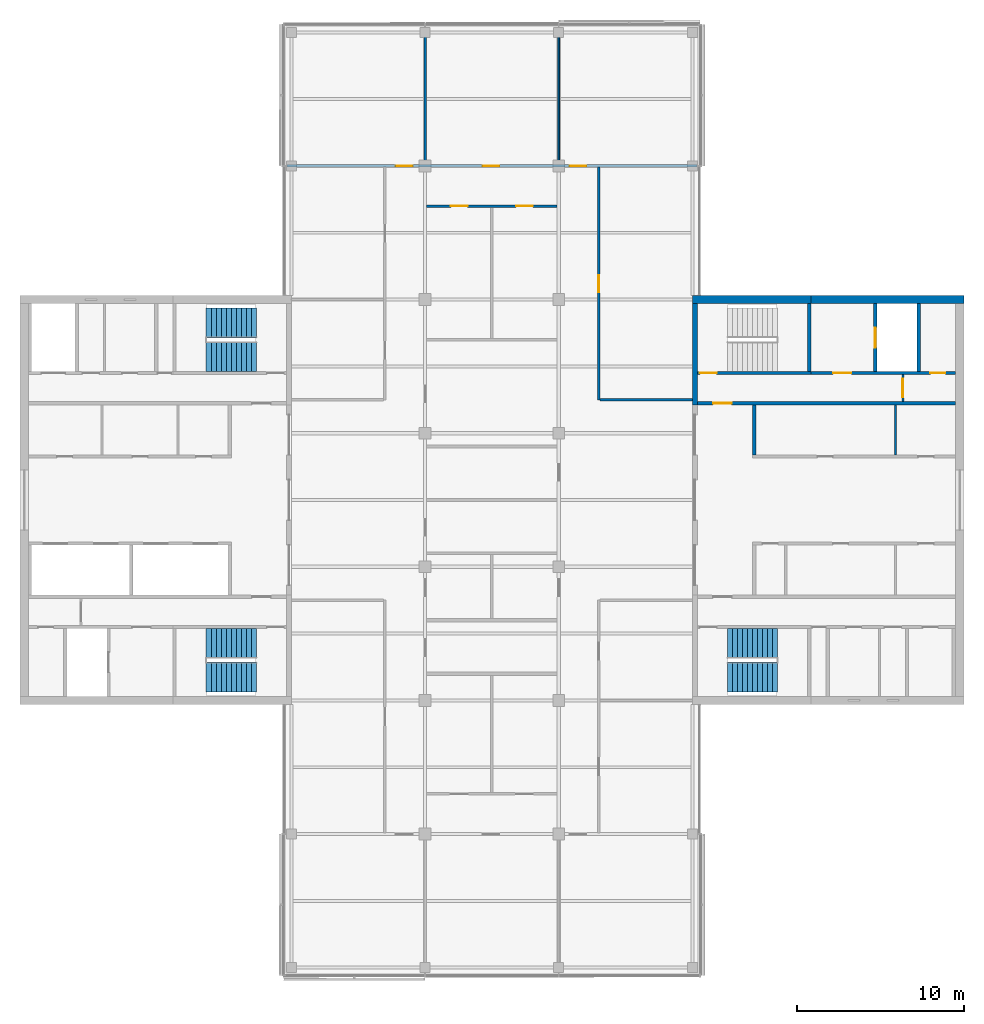
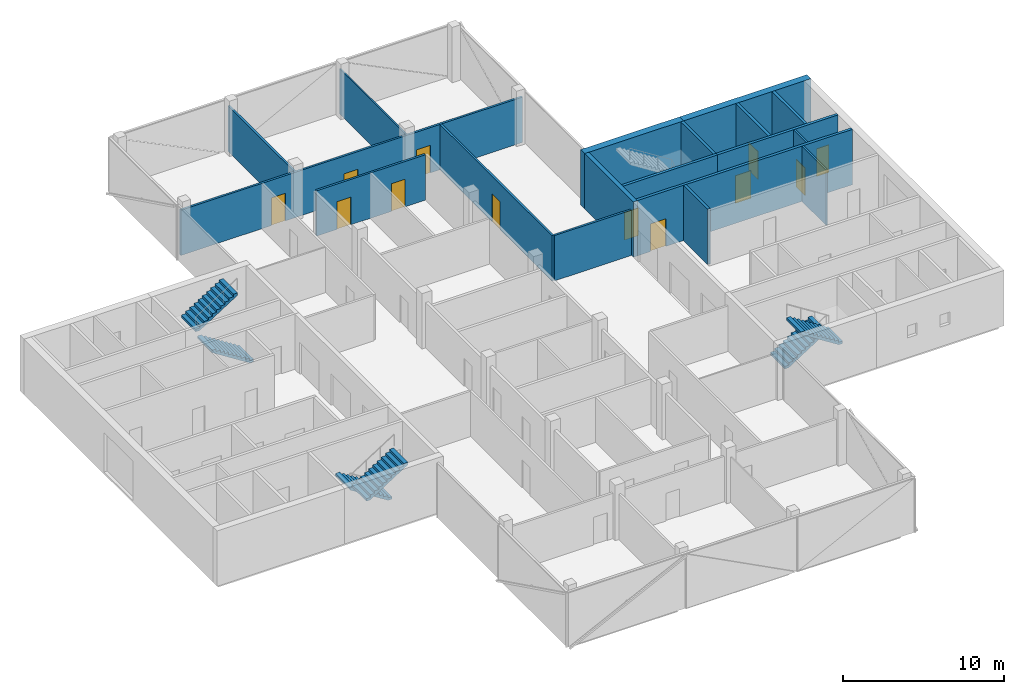
# One storey, part 12 of 16: 18 walls, 12 doors, 6 stair flights, 12 openings, 3 elements without a shape of their own.
"""IFC4 building model written with IfcOpenShell, lengths in metres."""

from ifc_helpers import new_model, si_unit, direction, frame, frame_2d, origin, place, context, subcontext, project, spatial, polyline, rectangle, outline, extrude, material, layer, layer_set, constituent, constituent_set, type_object, element, fill, aggregate, save


model = new_model("IFC4")

# Units and contexts
model_context = context("Model", 3, precision=1e-05, world=origin(), true_north=direction((0.0, 1.0)))
body_context = subcontext(model_context, "Body", "Model", "MODEL_VIEW")
ifc_project = project(units=[si_unit("LENGTHUNIT", "METRE"), si_unit("AREAUNIT", "SQUARE_METRE"), si_unit("VOLUMEUNIT", "CUBIC_METRE"), si_unit("PLANEANGLEUNIT", "RADIAN"), si_unit("MASSUNIT", "GRAM", prefix="KILO")], contexts=[model_context])

# Site, building, storey
site_placement = place(None, origin())
site = spatial("IfcSite", under=ifc_project, at=site_placement, CompositionType="ELEMENT")
building_placement = place(site_placement, origin())
building = spatial("IfcBuilding", under=site, at=building_placement, Name="Crosswind Convention Tower", CompositionType="ELEMENT")
storey_placement = place(building_placement, frame((0.0, 0.0, 253.5)))
storey = spatial("IfcBuildingStorey", under=building, at=storey_placement, Name="L54", CompositionType="ELEMENT", Elevation=253.5)

# Walls
ifc_material_1 = material(Name="Concrete C50/60", Category="concrete")
ifc_layer_1 = layer(ifc_material_1, 0.300048828125)
ifc_layer_set_1 = layer_set([ifc_layer_1], Name="Concrete C50/60")
wall_type_1 = type_object("IfcWallType", Name="Concrete inner core wall 300", PredefinedType="SHEAR", material=ifc_layer_set_1)
wall_1_placement = place(storey_placement, frame((137.14990234375, 105.699951171875, 0.0), z_axis=(0.0, 0.0, 1.0), x_axis=(0.0, 1.0, 0.0)))
element("IfcWall", 1, at=wall_1_placement, inside=storey, type_object=wall_type_1, Name="Wall EP E L54", PredefinedType="SHEAR", context=body_context, shape_type="SweptSolid", body=[
    extrude(rectangle(XDim=6.050048828125, YDim=0.300048828125, at=frame_2d((3.02490234375, 0.0))), origin(), (0.0, 0.0, 1.0), 4.199951171875),
])
ifc_layer_2 = layer(ifc_material_1, 0.199951171875)
ifc_layer_set_2 = layer_set([ifc_layer_2], Name="Concrete C50/60")
wall_type_2 = type_object("IfcWallType", Name="Concrete shaft and stair wall 200", PredefinedType="SHEAR", material=ifc_layer_set_2)
wall_2_placement = place(storey_placement, frame((140.699951171875, 102.699951171875, 0.0), z_axis=(0.0, 0.0, 1.0), x_axis=(0.0, 1.0, 0.0)))
element("IfcWall", 2, at=wall_2_placement, inside=storey, type_object=wall_type_2, Name="Wall RPEND E L54", PredefinedType="SHEAR", context=body_context, shape_type="SweptSolid", body=[
    extrude(rectangle(XDim=3.0, YDim=0.199951171875, at=frame_2d((1.5, 0.0))), origin(), (0.0, 0.0, 1.0), 4.199951171875),
])

# Wall, opening, door
wall_3_placement = place(storey_placement, frame((137.300048828125, 105.800048828125, 0.0), z_axis=(0.0, 0.0, 1.0), x_axis=(1.0, 0.0, 0.0)))
wall_3 = element("IfcWall", 3, at=wall_3_placement, inside=storey, type_object=wall_type_2, Name="Wall HP E L54", PredefinedType="SHEAR", context=body_context, shape_type="SweptSolid", body=[
    extrude(rectangle(XDim=15.449951171875, YDim=0.199951171875, at=frame_2d((7.72509765625, 0.0))), origin(), (0.0, 0.0, 1.0), 4.199951171875),
])
opening_1_placement = place(wall_3_placement, frame((0.949951171875, 0.0, 0.0)))
opening_1 = element("IfcOpeningElement", 4, at=opening_1_placement, cuts=wall_3, Name="Opening D104", PredefinedType="OPENING", context=body_context, shape_type="SweptSolid", body=[
    extrude(rectangle(XDim=1.10009765625, YDim=2.10009765625, at=frame_2d((0.550048828125, 1.050048828125))), frame((0.0, 0.10986328125, 0.0), z_axis=(0.0, -1.0, 0.0), x_axis=(1.0, 0.0, 0.0)), (0.0, 0.0, 1.0), 0.219970703125),
])
ifc_material_2 = material(Name="Steel fire door", Category="steel")
door_type_1 = type_object("IfcDoorType", Name="Fire-rated single door 1100x2100", OperationType="NOTDEFINED", PredefinedType="DOOR", material=ifc_material_2)
door_1_placement = place(opening_1_placement, origin())
door_1 = element("IfcDoor", 5, at=door_1_placement, inside=storey, type_object=door_type_1, Name="Corridor door L54", ObjectType="D104", OperationType="SINGLE_SWING_LEFT", OverallHeight=2.10009765625, OverallWidth=1.10009765625, PredefinedType="DOOR", context=body_context, shape_type="SweptSolid", body=[
    extrude(rectangle(XDim=1.10009765625, YDim=2.10009765625, at=frame_2d((0.550048828125, 1.050048828125))), frame((0.0, 0.02490234375, 0.0), z_axis=(0.0, -1.0, 0.0), x_axis=(1.0, 0.0, 0.0)), (0.0, 0.0, 1.0), 0.050048828125),
])
fill(opening_1, door_1)

# Wall
wall_4_placement = place(storey_placement, frame((144.0, 107.699951171875, 0.0), z_axis=(0.0, 0.0, 1.0), x_axis=(0.0, 1.0, 0.0)))
element("IfcWall", 6, at=wall_4_placement, inside=storey, type_object=wall_type_2, Name="Wall PSE E L54", PredefinedType="SHEAR", context=body_context, shape_type="SweptSolid", body=[
    extrude(rectangle(XDim=4.050048828125, YDim=0.199951171875, at=frame_2d((2.02490234375, 0.0))), origin(), (0.0, 0.0, 1.0), 4.199951171875),
])

# Wall, opening, door
wall_5_placement = place(storey_placement, frame((147.949951171875, 107.699951171875, 0.0), z_axis=(0.0, 0.0, 1.0), x_axis=(0.0, 1.0, 0.0)))
wall_5 = element("IfcWall", 7, at=wall_5_placement, inside=storey, type_object=wall_type_2, Name="Wall PFLW E L54", PredefinedType="SHEAR", context=body_context, shape_type="SweptSolid", body=[
    extrude(rectangle(XDim=4.050048828125, YDim=0.199951171875, at=frame_2d((2.02490234375, 0.0))), origin(), (0.0, 0.0, 1.0), 4.199951171875),
])
opening_2_placement = place(wall_5_placement, frame((1.425048828125, 0.0, 0.0)))
opening_2 = element("IfcOpeningElement", 8, at=opening_2_placement, cuts=wall_5, Name="Opening LD1", PredefinedType="OPENING", context=body_context, shape_type="SweptSolid", body=[
    extrude(rectangle(XDim=1.199951171875, YDim=2.10009765625, at=frame_2d((0.60009765625, 1.050048828125))), frame((0.0, 0.10986328125, 0.0), z_axis=(0.0, -1.0, 0.0), x_axis=(1.0, 0.0, 0.0)), (0.0, 0.0, 1.0), 0.219970703125),
])
ifc_material_3 = material(Name="Stainless steel", Category="steel")
door_type_2 = type_object("IfcDoorType", Name="Lift landing door 1200x2100", OperationType="DOUBLE_DOOR_SLIDING", PredefinedType="DOOR", material=ifc_material_3)
door_2_placement = place(opening_2_placement, origin())
door_2 = element("IfcDoor", 9, at=door_2_placement, inside=storey, type_object=door_type_2, Name="Landing door FF1 L54", ObjectType="LD1", OperationType="DOUBLE_DOOR_SLIDING", OverallHeight=2.10009765625, OverallWidth=1.199951171875, PredefinedType="DOOR", context=body_context, shape_type="SweptSolid", body=[
    extrude(rectangle(XDim=1.199951171875, YDim=2.10009765625, at=frame_2d((0.60009765625, 1.050048828125))), frame((0.0, 0.02490234375, 0.0), z_axis=(0.0, -1.0, 0.0), x_axis=(1.0, 0.0, 0.0)), (0.0, 0.0, 1.0), 0.050048828125),
])
fill(opening_2, door_2)

# Wall
wall_6_placement = place(storey_placement, frame((150.550048828125, 107.699951171875, 0.0), z_axis=(0.0, 0.0, 1.0), x_axis=(0.0, 1.0, 0.0)))
element("IfcWall", 10, at=wall_6_placement, inside=storey, type_object=wall_type_2, Name="Wall PFSE E L54", PredefinedType="SHEAR", context=body_context, shape_type="SweptSolid", body=[
    extrude(rectangle(XDim=4.050048828125, YDim=0.199951171875, at=frame_2d((2.02490234375, 0.0))), origin(), (0.0, 0.0, 1.0), 4.199951171875),
])

# Wall, opening, door
wall_7_placement = place(storey_placement, frame((137.300048828125, 107.60009765625, 0.0), z_axis=(0.0, 0.0, 1.0), x_axis=(1.0, 0.0, 0.0)))
wall_7 = element("IfcWall", 11, at=wall_7_placement, inside=storey, type_object=wall_type_2, Name="Wall PCW E L54", PredefinedType="SHEAR", context=body_context, shape_type="SweptSolid", body=[
    extrude(rectangle(XDim=6.800048828125, YDim=0.199951171875, at=frame_2d((3.39990234375, 0.0))), origin(), (0.0, 0.0, 1.0), 4.199951171875),
])
opening_3_placement = place(wall_7_placement, frame((0.14990234375, 0.0, 0.0)))
opening_3 = element("IfcOpeningElement", 12, at=opening_3_placement, cuts=wall_7, Name="Opening D103", PredefinedType="OPENING", context=body_context, shape_type="SweptSolid", body=[
    extrude(rectangle(XDim=1.0, YDim=2.10009765625, at=frame_2d((0.5, 1.050048828125))), frame((0.0, 0.10986328125, 0.0), z_axis=(0.0, -1.0, 0.0), x_axis=(1.0, 0.0, 0.0)), (0.0, 0.0, 1.0), 0.219970703125),
])
door_type_3 = type_object("IfcDoorType", Name="Fire-rated single door 1000x2100", OperationType="NOTDEFINED", PredefinedType="DOOR", material=ifc_material_2)
door_3_placement = place(opening_3_placement, origin())
door_3 = element("IfcDoor", 13, at=door_3_placement, inside=storey, type_object=door_type_3, Name="Stair ST1 door L54", ObjectType="D103", OperationType="SINGLE_SWING_LEFT", OverallHeight=2.10009765625, OverallWidth=1.0, PredefinedType="DOOR", context=body_context, shape_type="SweptSolid", body=[
    extrude(rectangle(XDim=1.0, YDim=2.10009765625, at=frame_2d((0.5, 1.050048828125))), frame((0.0, 0.02490234375, 0.0), z_axis=(0.0, -1.0, 0.0), x_axis=(1.0, 0.0, 0.0)), (0.0, 0.0, 1.0), 0.050048828125),
])
fill(opening_3, door_3)

# Wall, openings, doors
wall_8_placement = place(storey_placement, frame((144.10009765625, 107.60009765625, 0.0), z_axis=(0.0, 0.0, 1.0), x_axis=(1.0, 0.0, 0.0)))
wall_8 = element("IfcWall", 14, at=wall_8_placement, inside=storey, type_object=wall_type_2, Name="Wall PCX E L54", PredefinedType="SHEAR", context=body_context, shape_type="SweptSolid", body=[
    extrude(rectangle(XDim=8.64990234375, YDim=0.199951171875, at=frame_2d((4.324951171875, 0.0))), origin(), (0.0, 0.0, 1.0), 4.199951171875),
])
opening_4_placement = place(wall_8_placement, frame((1.324951171875, 0.0, 0.0)))
opening_4 = element("IfcOpeningElement", 15, at=opening_4_placement, cuts=wall_8, Name="Opening D104", PredefinedType="OPENING", context=body_context, shape_type="SweptSolid", body=[
    extrude(rectangle(XDim=1.10009765625, YDim=2.10009765625, at=frame_2d((0.550048828125, 1.050048828125))), frame((0.0, 0.10986328125, 0.0), z_axis=(0.0, -1.0, 0.0), x_axis=(1.0, 0.0, 0.0)), (0.0, 0.0, 1.0), 0.219970703125),
])
opening_5_placement = place(wall_8_placement, frame((7.14990234375, 0.0, 0.0)))
opening_5 = element("IfcOpeningElement", 16, at=opening_5_placement, cuts=wall_8, Name="Opening D106", PredefinedType="OPENING", context=body_context, shape_type="SweptSolid", body=[
    extrude(rectangle(XDim=0.89990234375, YDim=2.10009765625, at=frame_2d((0.449951171875, 1.050048828125))), frame((0.0, 0.10986328125, 0.0), z_axis=(0.0, -1.0, 0.0), x_axis=(1.0, 0.0, 0.0)), (0.0, 0.0, 1.0), 0.219970703125),
])
door_4_placement = place(opening_4_placement, origin())
door_4 = element("IfcDoor", 17, at=door_4_placement, inside=storey, type_object=door_type_1, Name="Fire-fighting lobby FF1 door L54", ObjectType="D104", OperationType="SINGLE_SWING_RIGHT", OverallHeight=2.10009765625, OverallWidth=1.10009765625, PredefinedType="DOOR", context=body_context, shape_type="SweptSolid", body=[
    extrude(rectangle(XDim=1.10009765625, YDim=2.10009765625, at=frame_2d((0.550048828125, 1.050048828125))), frame((0.0, 0.02490234375, 0.0), z_axis=(0.0, -1.0, 0.0), x_axis=(1.0, 0.0, 0.0)), (0.0, 0.0, 1.0), 0.050048828125),
])
fill(opening_4, door_4)
ifc_material_4 = material(Name="Timber door", Category="wood")
door_type_4 = type_object("IfcDoorType", Name="Single leaf door 900x2100", OperationType="NOTDEFINED", PredefinedType="DOOR", material=ifc_material_4)
door_5_placement = place(opening_5_placement, origin())
door_5 = element("IfcDoor", 18, at=door_5_placement, inside=storey, type_object=door_type_4, Name="Door to telecoms room L54", ObjectType="D106", OperationType="SINGLE_SWING_RIGHT", OverallHeight=2.10009765625, OverallWidth=0.89990234375, PredefinedType="DOOR", context=body_context, shape_type="SweptSolid", body=[
    extrude(rectangle(XDim=0.89990234375, YDim=2.10009765625, at=frame_2d((0.449951171875, 1.050048828125))), frame((0.0, 0.02490234375, 0.0), z_axis=(0.0, -1.0, 0.0), x_axis=(1.0, 0.0, 0.0)), (0.0, 0.0, 1.0), 0.050048828125),
])
fill(opening_5, door_5)

# Wall
ifc_material_5 = material(Name="Gypsum plasterboard partition", Category="gypsum")
ifc_layer_3 = layer(ifc_material_5, 0.125)
ifc_layer_set_3 = layer_set([ifc_layer_3], Name="Drywall partition wall 125")
wall_type_3 = type_object("IfcWallType", Name="Drywall partition wall 125", PredefinedType="PARTITIONING", material=ifc_layer_set_3)
wall_9_placement = place(storey_placement, frame((149.1650390625, 102.699951171875, 0.0), z_axis=(0.0, 0.0, 1.0), x_axis=(0.0, 1.0, 0.0)))
element("IfcWall", 19, at=wall_9_placement, inside=storey, type_object=wall_type_3, Name="Wall RPP1 E L54", PredefinedType="PARTITIONING", context=body_context, shape_type="SweptSolid", body=[
    extrude(rectangle(XDim=3.0, YDim=0.125, at=frame_2d((1.5, 0.0))), origin(), (0.0, 0.0, 1.0), 4.199951171875),
])

# Wall, opening, door
wall_10_placement = place(storey_placement, frame((149.60009765625, 105.89990234375, 0.0), z_axis=(0.0, 0.0, 1.0), x_axis=(0.0, 1.0, 0.0)))
wall_10 = element("IfcWall", 20, at=wall_10_placement, inside=storey, type_object=wall_type_3, Name="Wall PXC1 E L54", PredefinedType="PARTITIONING", context=body_context, shape_type="SweptSolid", body=[
    extrude(rectangle(XDim=1.60009765625, YDim=0.125, at=frame_2d((0.800048828125, 0.0))), origin(), (0.0, 0.0, 1.0), 4.199951171875),
])
opening_6_placement = place(wall_10_placement, frame((0.25, 0.0, 0.0)))
opening_6 = element("IfcOpeningElement", 21, at=opening_6_placement, cuts=wall_10, Name="Opening D104", PredefinedType="OPENING", context=body_context, shape_type="SweptSolid", body=[
    extrude(rectangle(XDim=1.10009765625, YDim=2.10009765625, at=frame_2d((0.550048828125, 1.050048828125))), frame((0.0, 0.072509765625, 0.0), z_axis=(0.0, -1.0, 0.0), x_axis=(1.0, 0.0, 0.0)), (0.0, 0.0, 1.0), 0.14501953125),
])
door_6_placement = place(opening_6_placement, origin())
door_6 = element("IfcDoor", 22, at=door_6_placement, inside=storey, type_object=door_type_1, Name="Corridor smoke door L54", ObjectType="D104", OperationType="SINGLE_SWING_RIGHT", OverallHeight=2.10009765625, OverallWidth=1.10009765625, PredefinedType="DOOR", context=body_context, shape_type="SweptSolid", body=[
    extrude(rectangle(XDim=1.10009765625, YDim=2.10009765625, at=frame_2d((0.550048828125, 1.050048828125))), frame((0.0, 0.02490234375, 0.0), z_axis=(0.0, -1.0, 0.0), x_axis=(1.0, 0.0, 0.0)), (0.0, 0.0, 1.0), 0.050048828125),
])
fill(opening_6, door_6)

# Walls
ifc_material_6 = material(Name="Plasterboard partition", Category="gypsum")
ifc_layer_4 = layer(ifc_material_6, 0.10009765625)
ifc_layer_set_4 = layer_set([ifc_layer_4], Name="PARTITION 100 METAL STUD")
wall_type_4 = type_object("IfcWallType", Name="PARTITION 100 METAL STUD", PredefinedType="PARTITIONING", material=ifc_layer_set_4)
wall_11_placement = place(storey_placement, frame((129.0, 120.074951171875, 0.0), z_axis=(0.0, 0.0, 1.0), x_axis=(0.0, 1.0, 0.0)))
element("IfcWall", 23, at=wall_11_placement, inside=storey, type_object=wall_type_4, Name="Partition wall WT40", PredefinedType="PARTITIONING", context=body_context, shape_type="SweptSolid", body=[
    extrude(rectangle(XDim=8.195068359375, YDim=0.10009765625, at=frame_2d((4.09765625, 0.0))), origin(), (0.0, 0.0, 1.0), 3.44287109375),
])
ifc_material_7 = material(Name="Fire-board partition with mineral wool", Category="gypsum")
ifc_layer_5 = layer(ifc_material_7, 0.14990234375)
ifc_layer_set_5 = layer_set([ifc_layer_5], Name="TENANCY WALL 150 TWO-HOUR BOARD")
wall_type_5 = type_object("IfcWallType", Name="TENANCY WALL 150 TWO-HOUR BOARD", PredefinedType="PARTITIONING", material=ifc_layer_set_5)
wall_12_placement = place(storey_placement, frame((121.0, 120.074951171875, 0.0), z_axis=(0.0, 0.0, 1.0), x_axis=(0.0, 1.0, 0.0)))
element("IfcWall", 24, at=wall_12_placement, inside=storey, type_object=wall_type_5, Name="Tenancy wall WT41", PredefinedType="PARTITIONING", context=body_context, shape_type="SweptSolid", body=[
    extrude(rectangle(XDim=8.195068359375, YDim=0.14990234375, at=frame_2d((4.09765625, 0.0))), origin(), (0.0, 0.0, 1.0), 3.44287109375),
])

# Wall, opening, door
wall_13_placement = place(storey_placement, frame((131.39990234375, 106.0, 0.0), z_axis=(0.0, 0.0, 1.0), x_axis=(0.0, 1.0, 0.0)))
wall_13 = element("IfcWall", 25, at=wall_13_placement, inside=storey, type_object=wall_type_5, Name="Tenancy wall WT41", PredefinedType="PARTITIONING", context=body_context, shape_type="SweptSolid", body=[
    extrude(rectangle(XDim=13.925048828125, YDim=0.14990234375, at=frame_2d((6.96240234375, 0.0))), origin(), (0.0, 0.0, 1.0), 3.44287109375),
])
opening_7_placement = place(wall_13_placement, frame((6.449951171875, 0.0, 0.0)))
opening_7 = element("IfcOpeningElement", 26, at=opening_7_placement, cuts=wall_13, Name="Opening L54-50", PredefinedType="OPENING", context=body_context, shape_type="SweptSolid", body=[
    extrude(rectangle(XDim=1.0, YDim=2.10009765625, at=frame_2d((0.5, 1.050048828125))), frame((0.0, 0.0849609375, 0.0), z_axis=(0.0, -1.0, 0.0), x_axis=(1.0, 0.0, 0.0)), (0.0, 0.0, 1.0), 0.169921875),
])
ifc_material_8 = material(Name="Timber fire door", Category="wood")
door_type_5 = type_object("IfcDoorType", Name="TENANCY ENTRANCE DOOR 1000X2100 FD30S", OperationType="NOTDEFINED", PredefinedType="DOOR", material=ifc_material_8)
door_7_placement = place(opening_7_placement, frame((1.0, 0.0, 0.0), z_axis=(0.0, 0.0, 1.0), x_axis=(-1.0, 0.0, 0.0)))
door_7 = element("IfcDoor", 27, at=door_7_placement, inside=storey, type_object=door_type_5, Name="Door L54-50", ObjectType="D41", OperationType="SINGLE_SWING_LEFT", OverallHeight=2.10009765625, OverallWidth=1.0, PredefinedType="DOOR", context=body_context, shape_type="SweptSolid", body=[
    extrude(rectangle(XDim=1.0, YDim=2.10009765625, at=frame_2d((0.5, 1.050048828125))), frame((0.0, 0.02490234375, 0.0), z_axis=(0.0, -1.0, 0.0), x_axis=(1.0, 0.0, 0.0)), (0.0, 0.0, 1.0), 0.050048828125),
])
fill(opening_7, door_7)

# Wall
wall_14_placement = place(storey_placement, frame((131.47509765625, 106.0, 0.0), z_axis=(0.0, 0.0, 1.0), x_axis=(1.0, 0.0, 0.0)))
element("IfcWall", 28, at=wall_14_placement, inside=storey, type_object=wall_type_5, Name="Tenancy wall WT41", PredefinedType="PARTITIONING", context=body_context, shape_type="SweptSolid", body=[
    extrude(rectangle(XDim=5.52490234375, YDim=0.14990234375, at=frame_2d((2.762451171875, 0.0))), origin(), (0.0, 0.0, 1.0), 3.44287109375),
])

# Wall, openings, doors
wall_15_placement = place(storey_placement, frame((121.10009765625, 117.60009765625, 0.0), z_axis=(0.0, 0.0, 1.0), x_axis=(1.0, 0.0, 0.0)))
wall_15 = element("IfcWall", 29, at=wall_15_placement, inside=storey, type_object=wall_type_5, Name="Tenancy wall WT41", PredefinedType="PARTITIONING", context=body_context, shape_type="SweptSolid", body=[
    extrude(rectangle(XDim=7.7998046875, YDim=0.14990234375, at=frame_2d((3.89990234375, 0.0))), origin(), (0.0, 0.0, 1.0), 3.44287109375),
])
opening_8_placement = place(wall_15_placement, frame((1.449951171875, 0.0, 0.0)))
opening_8 = element("IfcOpeningElement", 30, at=opening_8_placement, cuts=wall_15, Name="Opening L54-70", PredefinedType="OPENING", context=body_context, shape_type="SweptSolid", body=[
    extrude(rectangle(XDim=1.0, YDim=2.10009765625, at=frame_2d((0.5, 1.050048828125))), frame((0.0, 0.0849609375, 0.0), z_axis=(0.0, -1.0, 0.0), x_axis=(1.0, 0.0, 0.0)), (0.0, 0.0, 1.0), 0.169921875),
])
opening_9_placement = place(wall_15_placement, frame((5.35009765625, 0.0, 0.0)))
opening_9 = element("IfcOpeningElement", 31, at=opening_9_placement, cuts=wall_15, Name="Opening L54-71", PredefinedType="OPENING", context=body_context, shape_type="SweptSolid", body=[
    extrude(rectangle(XDim=1.0, YDim=2.10009765625, at=frame_2d((0.5, 1.050048828125))), frame((0.0, 0.0849609375, 0.0), z_axis=(0.0, -1.0, 0.0), x_axis=(1.0, 0.0, 0.0)), (0.0, 0.0, 1.0), 0.169921875),
])
door_8_placement = place(opening_8_placement, frame((1.0, 0.0, 0.0), z_axis=(0.0, 0.0, 1.0), x_axis=(-1.0, 0.0, 0.0)))
door_8 = element("IfcDoor", 32, at=door_8_placement, inside=storey, type_object=door_type_5, Name="Door L54-70", ObjectType="D41", OperationType="SINGLE_SWING_LEFT", OverallHeight=2.10009765625, OverallWidth=1.0, PredefinedType="DOOR", context=body_context, shape_type="SweptSolid", body=[
    extrude(rectangle(XDim=1.0, YDim=2.10009765625, at=frame_2d((0.5, 1.050048828125))), frame((0.0, 0.02490234375, 0.0), z_axis=(0.0, -1.0, 0.0), x_axis=(1.0, 0.0, 0.0)), (0.0, 0.0, 1.0), 0.050048828125),
])
fill(opening_8, door_8)
door_9_placement = place(opening_9_placement, frame((1.0, 0.0, 0.0), z_axis=(0.0, 0.0, 1.0), x_axis=(-1.0, 0.0, 0.0)))
door_9 = element("IfcDoor", 33, at=door_9_placement, inside=storey, type_object=door_type_5, Name="Door L54-71", ObjectType="D41", OperationType="SINGLE_SWING_RIGHT", OverallHeight=2.10009765625, OverallWidth=1.0, PredefinedType="DOOR", context=body_context, shape_type="SweptSolid", body=[
    extrude(rectangle(XDim=1.0, YDim=2.10009765625, at=frame_2d((0.5, 1.050048828125))), frame((0.0, 0.02490234375, 0.0), z_axis=(0.0, -1.0, 0.0), x_axis=(1.0, 0.0, 0.0)), (0.0, 0.0, 1.0), 0.050048828125),
])
fill(opening_9, door_9)

wall_16_placement = place(storey_placement, frame((112.72998046875, 120.0, 0.0), z_axis=(0.0, 0.0, 1.0), x_axis=(1.0, 0.0, 0.0)))
wall_16 = element("IfcWall", 34, at=wall_16_placement, inside=storey, type_object=wall_type_5, Name="Tenancy wall WT41", PredefinedType="PARTITIONING", context=body_context, shape_type="SweptSolid", body=[
    extrude(rectangle(XDim=24.5400390625, YDim=0.14990234375, at=frame_2d((12.27001953125, 0.0))), origin(), (0.0, 0.0, 1.0), 3.44287109375),
])
opening_10_placement = place(wall_16_placement, frame((6.52001953125, 0.0, 0.0)))
opening_10 = element("IfcOpeningElement", 35, at=opening_10_placement, cuts=wall_16, Name="Opening L54-56", PredefinedType="OPENING", context=body_context, shape_type="SweptSolid", body=[
    extrude(rectangle(XDim=1.0, YDim=2.10009765625, at=frame_2d((0.5, 1.050048828125))), frame((0.0, 0.0849609375, 0.0), z_axis=(0.0, -1.0, 0.0), x_axis=(1.0, 0.0, 0.0)), (0.0, 0.0, 1.0), 0.169921875),
])
opening_11_placement = place(wall_16_placement, frame((11.719970703125, 0.0, 0.0)))
opening_11 = element("IfcOpeningElement", 36, at=opening_11_placement, cuts=wall_16, Name="Opening L54-57", PredefinedType="OPENING", context=body_context, shape_type="SweptSolid", body=[
    extrude(rectangle(XDim=1.0, YDim=2.10009765625, at=frame_2d((0.5, 1.050048828125))), frame((0.0, 0.0849609375, 0.0), z_axis=(0.0, -1.0, 0.0), x_axis=(1.0, 0.0, 0.0)), (0.0, 0.0, 1.0), 0.169921875),
])
opening_12_placement = place(wall_16_placement, frame((16.919921875, 0.0, 0.0)))
opening_12 = element("IfcOpeningElement", 37, at=opening_12_placement, cuts=wall_16, Name="Opening L54-58", PredefinedType="OPENING", context=body_context, shape_type="SweptSolid", body=[
    extrude(rectangle(XDim=1.0, YDim=2.10009765625, at=frame_2d((0.5, 1.050048828125))), frame((0.0, 0.0849609375, 0.0), z_axis=(0.0, -1.0, 0.0), x_axis=(1.0, 0.0, 0.0)), (0.0, 0.0, 1.0), 0.169921875),
])
door_10_placement = place(opening_10_placement, origin())
door_10 = element("IfcDoor", 38, at=door_10_placement, inside=storey, type_object=door_type_5, Name="Door L54-56", ObjectType="D41", OperationType="SINGLE_SWING_RIGHT", OverallHeight=2.10009765625, OverallWidth=1.0, PredefinedType="DOOR", context=body_context, shape_type="SweptSolid", body=[
    extrude(rectangle(XDim=1.0, YDim=2.10009765625, at=frame_2d((0.5, 1.050048828125))), frame((0.0, 0.02490234375, 0.0), z_axis=(0.0, -1.0, 0.0), x_axis=(1.0, 0.0, 0.0)), (0.0, 0.0, 1.0), 0.050048828125),
])
fill(opening_10, door_10)
door_11_placement = place(opening_11_placement, origin())
door_11 = element("IfcDoor", 39, at=door_11_placement, inside=storey, type_object=door_type_5, Name="Door L54-57", ObjectType="D41", OperationType="SINGLE_SWING_LEFT", OverallHeight=2.10009765625, OverallWidth=1.0, PredefinedType="DOOR", context=body_context, shape_type="SweptSolid", body=[
    extrude(rectangle(XDim=1.0, YDim=2.10009765625, at=frame_2d((0.5, 1.050048828125))), frame((0.0, 0.02490234375, 0.0), z_axis=(0.0, -1.0, 0.0), x_axis=(1.0, 0.0, 0.0)), (0.0, 0.0, 1.0), 0.050048828125),
])
fill(opening_11, door_11)
door_12_placement = place(opening_12_placement, origin())
door_12 = element("IfcDoor", 40, at=door_12_placement, inside=storey, type_object=door_type_5, Name="Door L54-58", ObjectType="D41", OperationType="SINGLE_SWING_LEFT", OverallHeight=2.10009765625, OverallWidth=1.0, PredefinedType="DOOR", context=body_context, shape_type="SweptSolid", body=[
    extrude(rectangle(XDim=1.0, YDim=2.10009765625, at=frame_2d((0.5, 1.050048828125))), frame((0.0, 0.02490234375, 0.0), z_axis=(0.0, -1.0, 0.0), x_axis=(1.0, 0.0, 0.0)), (0.0, 0.0, 1.0), 0.050048828125),
])
fill(opening_12, door_12)

# Walls
ifc_material_9 = material(Name="Concrete C60/75", Category="concrete")
ifc_constituent_1 = constituent(ifc_material_9, Name="Structure")
ifc_material_10 = material(Name="Terracotta rainscreen", Category="ceramic")
ifc_constituent_2 = constituent(ifc_material_10, Name="Facing")
ifc_constituent_set = constituent_set(constituents=[ifc_constituent_1, ifc_constituent_2], Name="Concrete C60/75, Terracotta rainscreen")
wall_type_6 = type_object("IfcWallType", Name="Terracotta rainscreen on concrete core wall 500", PredefinedType="SHEAR", material=ifc_constituent_set)
wall_17_placement = place(storey_placement, frame((137.0, 112.0, 0.0), z_axis=(0.0, 0.0, 1.0), x_axis=(1.0, 0.0, 0.0)))
element("IfcWall", 41, at=wall_17_placement, inside=storey, type_object=wall_type_6, Name="Wall N1 E L54", PredefinedType="SHEAR", context=body_context, shape_type="SweptSolid", body=[
    extrude(rectangle(XDim=7.10009765625, YDim=0.5, at=frame_2d((3.550048828125, 0.0))), origin(), (0.0, 0.0, 1.0), 4.199951171875),
])
wall_18_placement = place(storey_placement, frame((144.10009765625, 112.0, 0.0), z_axis=(0.0, 0.0, 1.0), x_axis=(1.0, 0.0, 0.0)))
element("IfcWall", 42, at=wall_18_placement, inside=storey, type_object=wall_type_6, Name="Wall N2 E L54", PredefinedType="SHEAR", context=body_context, shape_type="SweptSolid", body=[
    extrude(rectangle(XDim=9.14990234375, YDim=0.5, at=frame_2d((4.574951171875, 0.0))), origin(), (0.0, 0.0, 1.0), 4.199951171875),
])

# Stair, stair flights
ifc_material_11 = material(Name="Concrete C40/50", Category="concrete")
stair_type = type_object("IfcStairType", Name="Exit stair 1800 wide, 2 flights of 11 risers", PredefinedType="HALF_TURN_STAIR", material=ifc_material_11)
stair_1_placement = place(storey_placement, origin())
stair_1 = element("IfcStair", 43, at=stair_1_placement, inside=storey, type_object=stair_type, Name="Exit stair ST2 L54", ObjectType="ST5", PredefinedType="HALF_TURN_STAIR")
stair_flight_type = type_object("IfcStairFlightType", Name="Stair flight 1800 wide, 11 risers (SF4)", PredefinedType="STRAIGHT", material=ifc_material_11)
stair_flight_1_placement = place(storey_placement, frame((139.10009765625, 91.39990234375, 0.0), z_axis=(0.0, 0.0, 1.0), x_axis=(1.0, 0.0, 0.0)))
stair_flight_1 = element("IfcStairFlight", 44, at=stair_flight_1_placement, type_object=stair_flight_type, Name="ST2 flight 1", NumberOfRisers=11, NumberOfTreads=10, PredefinedType="STRAIGHT", RiserHeight=0.190909091, TreadLength=0.3, context=body_context, shape_type="SweptSolid", body=[
    extrude(outline(polyline([(0.0, 0.0), (0.0, 0.19091796875), (0.300048828125, 0.19091796875), (0.300048828125, 0.3818359375), (0.60009765625, 0.3818359375), (0.60009765625, 0.57275390625), (0.89990234375, 0.57275390625), (0.89990234375, 0.763671875), (1.199951171875, 0.763671875), (1.199951171875, 0.95458984375), (1.5, 0.95458984375), (1.5, 1.1455078125), (1.800048828125, 1.1455078125), (1.800048828125, 1.33642578125), (2.10009765625, 1.33642578125), (2.10009765625, 1.52734375), (2.39990234375, 1.52734375), (2.39990234375, 1.71826171875), (2.699951171875, 1.71826171875), (2.699951171875, 1.9091796875), (3.0, 1.9091796875), (3.0, 2.10009765625), (3.0, 1.7314453125), (0.279296875, 0.0), (0.0, 0.0)])), frame((0.0, 0.89990234375, 0.0), z_axis=(0.0, -1.0, 0.0), x_axis=(1.0, 0.0, 0.0)), (0.0, 0.0, 1.0), 1.800048828125),
])
stair_flight_2_placement = place(storey_placement, frame((142.10009765625, 89.39990234375, 2.10009765625), z_axis=(0.0, 0.0, 1.0), x_axis=(-1.0, 0.0, 0.0)))
stair_flight_2 = element("IfcStairFlight", 45, at=stair_flight_2_placement, type_object=stair_flight_type, Name="ST2 flight 2", NumberOfRisers=11, NumberOfTreads=10, PredefinedType="STRAIGHT", RiserHeight=0.190909091, TreadLength=0.3, context=body_context, shape_type="SweptSolid", body=[
    extrude(outline(polyline([(0.0, 0.0), (0.0, 0.19091796875), (0.300048828125, 0.19091796875), (0.300048828125, 0.3818359375), (0.60009765625, 0.3818359375), (0.60009765625, 0.57275390625), (0.89990234375, 0.57275390625), (0.89990234375, 0.763671875), (1.199951171875, 0.763671875), (1.199951171875, 0.95458984375), (1.5, 0.95458984375), (1.5, 1.1455078125), (1.800048828125, 1.1455078125), (1.800048828125, 1.33642578125), (2.10009765625, 1.33642578125), (2.10009765625, 1.52734375), (2.39990234375, 1.52734375), (2.39990234375, 1.71826171875), (2.699951171875, 1.71826171875), (2.699951171875, 1.9091796875), (3.0, 1.9091796875), (3.0, 2.10009765625), (3.0, 1.7314453125), (0.279296875, 0.0), (0.0, 0.0)])), frame((0.0, 0.89990234375, 0.0), z_axis=(0.0, -1.0, 0.0), x_axis=(1.0, 0.0, 0.0)), (0.0, 0.0, 1.0), 1.800048828125),
])
aggregate(stair_1, [stair_flight_1, stair_flight_2])

stair_2_placement = place(storey_placement, origin())
stair_2 = element("IfcStair", 46, at=stair_2_placement, inside=storey, type_object=stair_type, Name="Exit stair ST3 L54", ObjectType="ST5", PredefinedType="HALF_TURN_STAIR")
stair_flight_3_placement = place(storey_placement, frame((110.89990234375, 91.39990234375, 0.0), z_axis=(0.0, 0.0, 1.0), x_axis=(-1.0, 0.0, 0.0)))
stair_flight_3 = element("IfcStairFlight", 47, at=stair_flight_3_placement, type_object=stair_flight_type, Name="ST3 flight 1", NumberOfRisers=11, NumberOfTreads=10, PredefinedType="STRAIGHT", RiserHeight=0.190909091, TreadLength=0.3, context=body_context, shape_type="SweptSolid", body=[
    extrude(outline(polyline([(0.0, 0.0), (0.0, 0.19091796875), (0.300048828125, 0.19091796875), (0.300048828125, 0.3818359375), (0.60009765625, 0.3818359375), (0.60009765625, 0.57275390625), (0.89990234375, 0.57275390625), (0.89990234375, 0.763671875), (1.199951171875, 0.763671875), (1.199951171875, 0.95458984375), (1.5, 0.95458984375), (1.5, 1.1455078125), (1.800048828125, 1.1455078125), (1.800048828125, 1.33642578125), (2.10009765625, 1.33642578125), (2.10009765625, 1.52734375), (2.39990234375, 1.52734375), (2.39990234375, 1.71826171875), (2.699951171875, 1.71826171875), (2.699951171875, 1.9091796875), (3.0, 1.9091796875), (3.0, 2.10009765625), (3.0, 1.7314453125), (0.279296875, 0.0), (0.0, 0.0)])), frame((0.0, 0.89990234375, 0.0), z_axis=(0.0, -1.0, 0.0), x_axis=(1.0, 0.0, 0.0)), (0.0, 0.0, 1.0), 1.800048828125),
])
stair_flight_4_placement = place(storey_placement, frame((107.89990234375, 89.39990234375, 2.10009765625), z_axis=(0.0, 0.0, 1.0), x_axis=(1.0, 0.0, 0.0)))
stair_flight_4 = element("IfcStairFlight", 48, at=stair_flight_4_placement, type_object=stair_flight_type, Name="ST3 flight 2", NumberOfRisers=11, NumberOfTreads=10, PredefinedType="STRAIGHT", RiserHeight=0.190909091, TreadLength=0.3, context=body_context, shape_type="SweptSolid", body=[
    extrude(outline(polyline([(0.0, 0.0), (0.0, 0.19091796875), (0.300048828125, 0.19091796875), (0.300048828125, 0.3818359375), (0.60009765625, 0.3818359375), (0.60009765625, 0.57275390625), (0.89990234375, 0.57275390625), (0.89990234375, 0.763671875), (1.199951171875, 0.763671875), (1.199951171875, 0.95458984375), (1.5, 0.95458984375), (1.5, 1.1455078125), (1.800048828125, 1.1455078125), (1.800048828125, 1.33642578125), (2.10009765625, 1.33642578125), (2.10009765625, 1.52734375), (2.39990234375, 1.52734375), (2.39990234375, 1.71826171875), (2.699951171875, 1.71826171875), (2.699951171875, 1.9091796875), (3.0, 1.9091796875), (3.0, 2.10009765625), (3.0, 1.7314453125), (0.279296875, 0.0), (0.0, 0.0)])), frame((0.0, 0.89990234375, 0.0), z_axis=(0.0, -1.0, 0.0), x_axis=(1.0, 0.0, 0.0)), (0.0, 0.0, 1.0), 1.800048828125),
])
aggregate(stair_2, [stair_flight_3, stair_flight_4])

stair_3_placement = place(storey_placement, origin())
stair_3 = element("IfcStair", 49, at=stair_3_placement, inside=storey, type_object=stair_type, Name="Exit stair ST4 L54", ObjectType="ST5", PredefinedType="HALF_TURN_STAIR")
stair_flight_5_placement = place(storey_placement, frame((110.89990234375, 108.60009765625, 0.0), z_axis=(0.0, 0.0, 1.0), x_axis=(-1.0, 0.0, 0.0)))
stair_flight_5 = element("IfcStairFlight", 50, at=stair_flight_5_placement, type_object=stair_flight_type, Name="ST4 flight 1", NumberOfRisers=11, NumberOfTreads=10, PredefinedType="STRAIGHT", RiserHeight=0.190909091, TreadLength=0.3, context=body_context, shape_type="SweptSolid", body=[
    extrude(outline(polyline([(0.0, 0.0), (0.0, 0.19091796875), (0.300048828125, 0.19091796875), (0.300048828125, 0.3818359375), (0.60009765625, 0.3818359375), (0.60009765625, 0.57275390625), (0.89990234375, 0.57275390625), (0.89990234375, 0.763671875), (1.199951171875, 0.763671875), (1.199951171875, 0.95458984375), (1.5, 0.95458984375), (1.5, 1.1455078125), (1.800048828125, 1.1455078125), (1.800048828125, 1.33642578125), (2.10009765625, 1.33642578125), (2.10009765625, 1.52734375), (2.39990234375, 1.52734375), (2.39990234375, 1.71826171875), (2.699951171875, 1.71826171875), (2.699951171875, 1.9091796875), (3.0, 1.9091796875), (3.0, 2.10009765625), (3.0, 1.7314453125), (0.279296875, 0.0), (0.0, 0.0)])), frame((0.0, 0.89990234375, 0.0), z_axis=(0.0, -1.0, 0.0), x_axis=(1.0, 0.0, 0.0)), (0.0, 0.0, 1.0), 1.800048828125),
])
stair_flight_6_placement = place(storey_placement, frame((107.89990234375, 110.60009765625, 2.10009765625), z_axis=(0.0, 0.0, 1.0), x_axis=(1.0, 0.0, 0.0)))
stair_flight_6 = element("IfcStairFlight", 51, at=stair_flight_6_placement, type_object=stair_flight_type, Name="ST4 flight 2", NumberOfRisers=11, NumberOfTreads=10, PredefinedType="STRAIGHT", RiserHeight=0.190909091, TreadLength=0.3, context=body_context, shape_type="SweptSolid", body=[
    extrude(outline(polyline([(0.0, 0.0), (0.0, 0.19091796875), (0.300048828125, 0.19091796875), (0.300048828125, 0.3818359375), (0.60009765625, 0.3818359375), (0.60009765625, 0.57275390625), (0.89990234375, 0.57275390625), (0.89990234375, 0.763671875), (1.199951171875, 0.763671875), (1.199951171875, 0.95458984375), (1.5, 0.95458984375), (1.5, 1.1455078125), (1.800048828125, 1.1455078125), (1.800048828125, 1.33642578125), (2.10009765625, 1.33642578125), (2.10009765625, 1.52734375), (2.39990234375, 1.52734375), (2.39990234375, 1.71826171875), (2.699951171875, 1.71826171875), (2.699951171875, 1.9091796875), (3.0, 1.9091796875), (3.0, 2.10009765625), (3.0, 1.7314453125), (0.279296875, 0.0), (0.0, 0.0)])), frame((0.0, 0.89990234375, 0.0), z_axis=(0.0, -1.0, 0.0), x_axis=(1.0, 0.0, 0.0)), (0.0, 0.0, 1.0), 1.800048828125),
])
aggregate(stair_3, [stair_flight_5, stair_flight_6])

save(model, "model.ifc")
